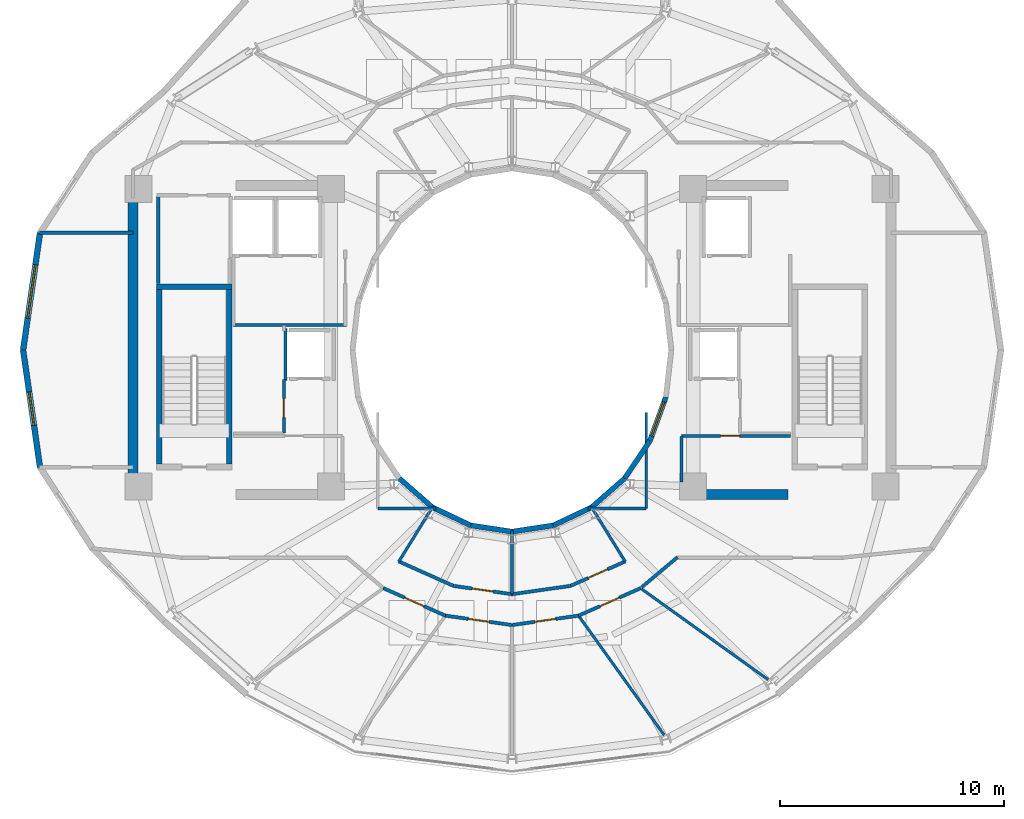
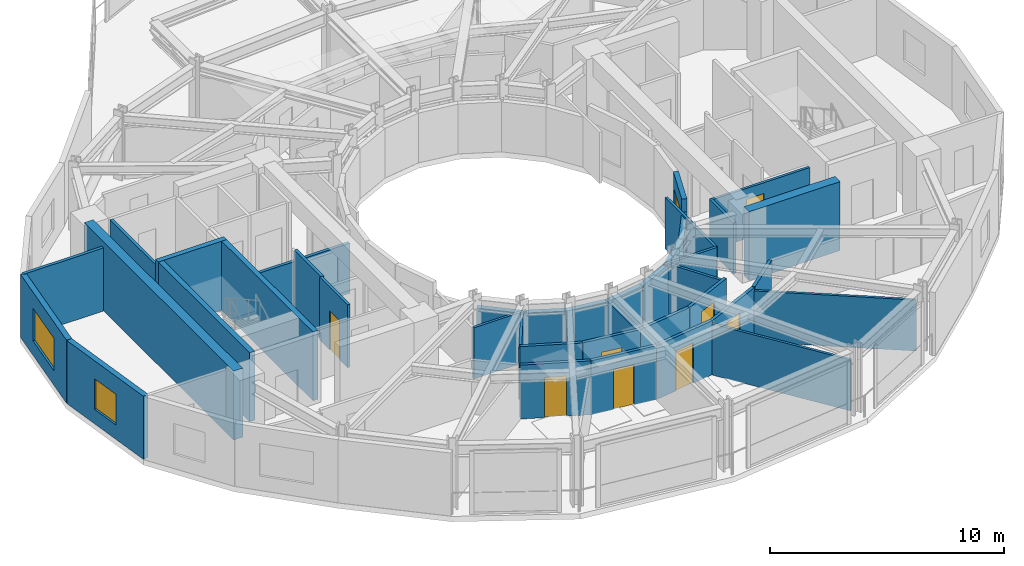
# One storey, part 13 of 19: 39 walls, 8 doors, 3 windows, 11 openings.
"""IFC4 building model written with IfcOpenShell, lengths in metres."""

from ifc_helpers import new_model, si_unit, direction, frame, frame_2d, origin, place, context, subcontext, project, spatial, rectangle, extrude, material, layer, layer_set, type_object, element, fill, save


model = new_model("IFC4")

# Units and contexts
model_context = context("Model", 3, precision=1e-05, world=origin(), true_north=direction((0.0, 1.0)))
body_context = subcontext(model_context, "Body", "Model", "MODEL_VIEW")
ifc_project = project(units=[si_unit("LENGTHUNIT", "METRE"), si_unit("AREAUNIT", "SQUARE_METRE"), si_unit("VOLUMEUNIT", "CUBIC_METRE"), si_unit("PLANEANGLEUNIT", "RADIAN"), si_unit("MASSUNIT", "GRAM", prefix="KILO")], contexts=[model_context])

# Site, building, storey
site_placement = place(None, origin())
site = spatial("IfcSite", under=ifc_project, at=site_placement, CompositionType="ELEMENT")
building_placement = place(site_placement, origin())
building = spatial("IfcBuilding", under=site, at=building_placement, Name="Solvane Sanctuary Tower", CompositionType="ELEMENT")
storey_placement = place(building_placement, frame((0.0, 0.0, 249.60009765625)))
storey = spatial("IfcBuildingStorey", under=building, at=storey_placement, Name="L76", CompositionType="ELEMENT", Elevation=249.60009765625)

# Walls
ifc_material_1 = material(Name="Concrete C50/60", Category="concrete")
ifc_layer_1 = layer(ifc_material_1, 0.449951171875, Name="Concrete C50/60")
ifc_layer_set_1 = layer_set([ifc_layer_1], Name="Concrete C50/60")
wall_type_1 = type_object("IfcWallType", Name="Wall W-CORE-450", PredefinedType="SHEAR", material=ifc_layer_set_1)
wall_1_placement = place(storey_placement, frame((15.050048828125, 17.050048828125, 0.0), z_axis=(0.0, 0.0, 1.0), x_axis=(0.0, 1.0, 0.0)))
element("IfcWall", 1, at=wall_1_placement, inside=storey, type_object=wall_type_1, Name="L76 Core Shear Wall WC-W", PredefinedType="SHEAR", context=body_context, shape_type="SweptSolid", body=[
    extrude(rectangle(XDim=12.800048828125, YDim=0.449951171875, at=frame_2d((6.39990234375, 0.0))), origin(), (0.0, 0.0, 1.0), 3.599853515625),
])
wall_2_placement = place(storey_placement, frame((39.85009765625, 16.550048828125, 0.0), z_axis=(0.0, 0.0, 1.0), x_axis=(1.0, 0.0, 0.0)))
element("IfcWall", 2, at=wall_2_placement, inside=storey, type_object=wall_type_1, Name="L76 Core Shear Wall EC-S", PredefinedType="SHEAR", context=body_context, shape_type="SweptSolid", body=[
    extrude(rectangle(XDim=4.5, YDim=0.449951171875, at=frame_2d((2.25, 0.0))), origin(), (0.0, 0.0, 1.0), 3.599853515625),
])
ifc_material_2 = material(Name="Acoustic Gypsum Partition Board")
ifc_layer_2 = layer(ifc_material_2, 0.14990234375, Name="Acoustic Gypsum Partition Board")
ifc_layer_set_2 = layer_set([ifc_layer_2], Name="Acoustic Gypsum Partition Board")
wall_type_2 = type_object("IfcWallType", Name="Wall W-CORR-150", PredefinedType="PARTITIONING", material=ifc_layer_set_2)
wall_3_placement = place(storey_placement, frame((19.52001953125, 24.1201171875, 0.0), z_axis=(0.0, 0.0, 1.0), x_axis=(1.0, 0.0, 0.0)))
element("IfcWall", 3, at=wall_3_placement, inside=storey, type_object=wall_type_2, Name="L76 West Firefighting Lobby South Wall", PredefinedType="PARTITIONING", context=body_context, shape_type="SweptSolid", body=[
    extrude(rectangle(XDim=5.080078125, YDim=0.14990234375, at=frame_2d((2.5400390625, 0.0))), origin(), (0.0, 0.0, 1.0), 2.619873046875),
])
wall_4_placement = place(storey_placement, frame((26.934814453125, 13.548583984375, 0.0), z_axis=(0.0, 0.0, 1.0), x_axis=(0.912859324183, -0.408274239027, 0.0)))
element("IfcWall", 4, at=wall_4_placement, inside=storey, type_object=wall_type_2, Name="L76 South Light-Well Corridor Wall 1", PredefinedType="PARTITIONING", context=body_context, shape_type="SweptSolid", body=[
    extrude(rectangle(XDim=2.681884765625, YDim=0.14990234375, at=frame_2d((1.3408203125, 0.0))), origin(), (0.0, 0.0, 1.0), 2.81591796875),
])

# Wall, opening, door
wall_5_placement = place(storey_placement, frame((29.379638671875, 12.45458984375, 0.0), z_axis=(0.0, 0.0, 1.0), x_axis=(0.990096156252, -0.140390887794, 0.0)))
wall_5 = element("IfcWall", 5, at=wall_5_placement, inside=storey, type_object=wall_type_2, Name="L76 South Light-Well Corridor Wall 1", PredefinedType="PARTITIONING", context=body_context, shape_type="SweptSolid", body=[
    extrude(rectangle(XDim=2.65380859375, YDim=0.14990234375, at=frame_2d((1.326904296875, 0.0))), origin(), (0.0, 0.0, 1.0), 2.81591796875),
])
opening_1_placement = place(wall_5_placement, frame((0.851806640625, 0.0, 0.0)))
opening_1 = element("IfcOpeningElement", 6, at=opening_1_placement, cuts=wall_5, Name="Opening D-L76-12", PredefinedType="OPENING", context=body_context, shape_type="SweptSolid", body=[
    extrude(rectangle(XDim=0.949951171875, YDim=2.10009765625, at=frame_2d((0.47509765625, 1.050048828125))), frame((0.0, 0.0849609375, 0.0), z_axis=(0.0, -1.0, 0.0), x_axis=(1.0, 0.0, 0.0)), (0.0, 0.0, 1.0), 0.169921875),
])
ifc_material_3 = material(Name="Engineered Tropical Hardwood", Category="wood")
door_type_1 = type_object("IfcDoorType", Name="Door D-ROOM-950", OperationType="NOTDEFINED", PredefinedType="DOOR", material=ifc_material_3)
door_1_placement = place(opening_1_placement, origin())
door_1 = element("IfcDoor", 7, at=door_1_placement, inside=storey, type_object=door_type_1, Name="L76 South Light-Well Alcove Door 1", OperationType="SINGLE_SWING_LEFT", OverallHeight=2.10009765625, OverallWidth=0.949951171875, PredefinedType="DOOR", context=body_context, shape_type="SweptSolid", body=[
    extrude(rectangle(XDim=0.949951171875, YDim=2.10009765625, at=frame_2d((0.47509765625, 1.050048828125))), frame((0.0, 0.02490234375, 0.0), z_axis=(0.0, -1.0, 0.0), x_axis=(1.0, 0.0, 0.0)), (0.0, 0.0, 1.0), 0.050048828125),
])
fill(opening_1, door_1)

# Wall
wall_6_placement = place(storey_placement, frame((31.992919921875, 12.08203125, 0.0), z_axis=(0.0, 0.0, 1.0), x_axis=(0.990096156252, 0.140390887794, 0.0)))
element("IfcWall", 8, at=wall_6_placement, inside=storey, type_object=wall_type_2, Name="L76 South Light-Well Corridor Wall 2", PredefinedType="PARTITIONING", context=body_context, shape_type="SweptSolid", body=[
    extrude(rectangle(XDim=2.65380859375, YDim=0.14990234375, at=frame_2d((1.326904296875, 0.0))), origin(), (0.0, 0.0, 1.0), 2.81591796875),
])

# Wall, opening, door
wall_7_placement = place(storey_placement, frame((34.616943359375, 12.45361328125, 0.0), z_axis=(0.0, 0.0, 1.0), x_axis=(0.912859324183, 0.408274239027, 0.0)))
wall_7 = element("IfcWall", 9, at=wall_7_placement, inside=storey, type_object=wall_type_2, Name="L76 South Light-Well Corridor Wall 2", PredefinedType="PARTITIONING", context=body_context, shape_type="SweptSolid", body=[
    extrude(rectangle(XDim=2.681884765625, YDim=0.14990234375, at=frame_2d((1.3408203125, 0.0))), origin(), (0.0, 0.0, 1.0), 2.81591796875),
])
opening_2_placement = place(wall_7_placement, frame((0.865966796875, 0.0, 0.0)))
opening_2 = element("IfcOpeningElement", 10, at=opening_2_placement, cuts=wall_7, Name="Opening D-L76-13", PredefinedType="OPENING", context=body_context, shape_type="SweptSolid", body=[
    extrude(rectangle(XDim=0.949951171875, YDim=2.10009765625, at=frame_2d((0.47509765625, 1.050048828125))), frame((0.0, 0.0849609375, 0.0), z_axis=(0.0, -1.0, 0.0), x_axis=(1.0, 0.0, 0.0)), (0.0, 0.0, 1.0), 0.169921875),
])
door_2_placement = place(opening_2_placement, origin())
door_2 = element("IfcDoor", 11, at=door_2_placement, inside=storey, type_object=door_type_1, Name="L76 South Light-Well Alcove Door 2", OperationType="SINGLE_SWING_RIGHT", OverallHeight=2.10009765625, OverallWidth=0.949951171875, PredefinedType="DOOR", context=body_context, shape_type="SweptSolid", body=[
    extrude(rectangle(XDim=0.949951171875, YDim=2.10009765625, at=frame_2d((0.47509765625, 1.050048828125))), frame((0.0, 0.02490234375, 0.0), z_axis=(0.0, -1.0, 0.0), x_axis=(1.0, 0.0, 0.0)), (0.0, 0.0, 1.0), 0.050048828125),
])
fill(opening_2, door_2)

# Walls
wall_8_placement = place(storey_placement, frame((10.87548828125, 28.245361328125, 0.0), z_axis=(0.0, 0.0, 1.0), x_axis=(1.0, 0.0, 0.0)))
element("IfcWall", 12, at=wall_8_placement, inside=storey, type_object=wall_type_2, Name="L76 West Shoulder North Wall", PredefinedType="PARTITIONING", context=body_context, shape_type="SweptSolid", body=[
    extrude(rectangle(XDim=4.174560546875, YDim=0.14990234375, at=frame_2d((2.08740234375, 0.0))), origin(), (0.0, 0.0, 1.0), 3.294921875),
])
wall_9_placement = place(storey_placement, frame((37.791015625, 12.385009765625, 0.0), z_axis=(0.0, 0.0, 1.0), x_axis=(0.765677451641, 0.643224719711, 0.0)))
element("IfcWall", 13, at=wall_9_placement, inside=storey, type_object=wall_type_2, Name="L76 SE Corner Throat Wall", PredefinedType="PARTITIONING", context=body_context, shape_type="SweptSolid", body=[
    extrude(rectangle(XDim=2.10546875, YDim=0.14990234375, at=frame_2d((1.052734375, 0.0))), origin(), (0.0, 0.0, 1.0), 2.81591796875),
])

# Wall, opening, door
wall_10_placement = place(storey_placement, frame((26.243896484375, 12.35400390625, 0.0), z_axis=(0.0, 0.0, 1.0), x_axis=(0.914302802833, -0.405031337963, 0.0)))
wall_10 = element("IfcWall", 14, at=wall_10_placement, inside=storey, type_object=wall_type_2, Name="L76 Sky Promenade Corridor Wall S1", PredefinedType="PARTITIONING", context=body_context, shape_type="SweptSolid", body=[
    extrude(rectangle(XDim=3.04931640625, YDim=0.14990234375, at=frame_2d((1.524658203125, 0.0))), origin(), (0.0, 0.0, 1.0), 2.81591796875),
])
opening_3_placement = place(wall_10_placement, frame((1.049560546875, 0.0, 0.0)))
opening_3 = element("IfcOpeningElement", 15, at=opening_3_placement, cuts=wall_10, Name="Opening D-L76-24", PredefinedType="OPENING", context=body_context, shape_type="SweptSolid", body=[
    extrude(rectangle(XDim=0.949951171875, YDim=2.10009765625, at=frame_2d((0.47509765625, 1.050048828125))), frame((0.0, 0.0849609375, 0.0), z_axis=(0.0, -1.0, 0.0), x_axis=(1.0, 0.0, 0.0)), (0.0, 0.0, 1.0), 0.169921875),
])
door_3_placement = place(opening_3_placement, origin())
door_3 = element("IfcDoor", 16, at=door_3_placement, inside=storey, type_object=door_type_1, Name="L76 Sky Hall Entrance Door S1", OperationType="SINGLE_SWING_LEFT", OverallHeight=2.10009765625, OverallWidth=0.949951171875, PredefinedType="DOOR", context=body_context, shape_type="SweptSolid", body=[
    extrude(rectangle(XDim=0.949951171875, YDim=2.10009765625, at=frame_2d((0.47509765625, 1.050048828125))), frame((0.0, 0.02490234375, 0.0), z_axis=(0.0, -1.0, 0.0), x_axis=(1.0, 0.0, 0.0)), (0.0, 0.0, 1.0), 0.050048828125),
])
fill(opening_3, door_3)

wall_11_placement = place(storey_placement, frame((29.016357421875, 11.123291015625, 0.0), z_axis=(0.0, 0.0, 1.0), x_axis=(0.990225561979, -0.139475217886, 0.0)))
wall_11 = element("IfcWall", 17, at=wall_11_placement, inside=storey, type_object=wall_type_2, Name="L76 Sky Promenade Corridor Wall S2", PredefinedType="PARTITIONING", context=body_context, shape_type="SweptSolid", body=[
    extrude(rectangle(XDim=3.021240234375, YDim=0.14990234375, at=frame_2d((1.5107421875, 0.0))), origin(), (0.0, 0.0, 1.0), 2.81591796875),
])
opening_4_placement = place(wall_11_placement, frame((1.03564453125, 0.0, 0.0)))
opening_4 = element("IfcOpeningElement", 18, at=opening_4_placement, cuts=wall_11, Name="Opening D-L76-25", PredefinedType="OPENING", context=body_context, shape_type="SweptSolid", body=[
    extrude(rectangle(XDim=0.949951171875, YDim=2.10009765625, at=frame_2d((0.47509765625, 1.050048828125))), frame((0.0, 0.0849609375, 0.0), z_axis=(0.0, -1.0, 0.0), x_axis=(1.0, 0.0, 0.0)), (0.0, 0.0, 1.0), 0.169921875),
])
door_4_placement = place(opening_4_placement, origin())
door_4 = element("IfcDoor", 19, at=door_4_placement, inside=storey, type_object=door_type_1, Name="L76 Sky Hall Entrance Door S2", OperationType="SINGLE_SWING_RIGHT", OverallHeight=2.10009765625, OverallWidth=0.949951171875, PredefinedType="DOOR", context=body_context, shape_type="SweptSolid", body=[
    extrude(rectangle(XDim=0.949951171875, YDim=2.10009765625, at=frame_2d((0.47509765625, 1.050048828125))), frame((0.0, 0.02490234375, 0.0), z_axis=(0.0, -1.0, 0.0), x_axis=(1.0, 0.0, 0.0)), (0.0, 0.0, 1.0), 0.050048828125),
])
fill(opening_4, door_4)

wall_12_placement = place(storey_placement, frame((31.991943359375, 10.701904296875, 0.0), z_axis=(0.0, 0.0, 1.0), x_axis=(0.990225561979, 0.139475217886, 0.0)))
wall_12 = element("IfcWall", 20, at=wall_12_placement, inside=storey, type_object=wall_type_2, Name="L76 Sky Promenade Corridor Wall S3", PredefinedType="PARTITIONING", context=body_context, shape_type="SweptSolid", body=[
    extrude(rectangle(XDim=3.021240234375, YDim=0.14990234375, at=frame_2d((1.5107421875, 0.0))), origin(), (0.0, 0.0, 1.0), 2.81591796875),
])
opening_5_placement = place(wall_12_placement, frame((1.03564453125, 0.0, 0.0)))
opening_5 = element("IfcOpeningElement", 21, at=opening_5_placement, cuts=wall_12, Name="Opening D-L76-26", PredefinedType="OPENING", context=body_context, shape_type="SweptSolid", body=[
    extrude(rectangle(XDim=0.949951171875, YDim=2.10009765625, at=frame_2d((0.47509765625, 1.050048828125))), frame((0.0, 0.0849609375, 0.0), z_axis=(0.0, -1.0, 0.0), x_axis=(1.0, 0.0, 0.0)), (0.0, 0.0, 1.0), 0.169921875),
])
door_5_placement = place(opening_5_placement, origin())
door_5 = element("IfcDoor", 22, at=door_5_placement, inside=storey, type_object=door_type_1, Name="L76 Sky Hall Entrance Door S3", OperationType="SINGLE_SWING_LEFT", OverallHeight=2.10009765625, OverallWidth=0.949951171875, PredefinedType="DOOR", context=body_context, shape_type="SweptSolid", body=[
    extrude(rectangle(XDim=0.949951171875, YDim=2.10009765625, at=frame_2d((0.47509765625, 1.050048828125))), frame((0.0, 0.02490234375, 0.0), z_axis=(0.0, -1.0, 0.0), x_axis=(1.0, 0.0, 0.0)), (0.0, 0.0, 1.0), 0.050048828125),
])
fill(opening_5, door_5)

wall_13_placement = place(storey_placement, frame((34.968017578125, 11.118896484375, 0.0), z_axis=(0.0, 0.0, 1.0), x_axis=(0.914302802833, 0.405031337963, 0.0)))
wall_13 = element("IfcWall", 23, at=wall_13_placement, inside=storey, type_object=wall_type_2, Name="L76 Sky Promenade Corridor Wall S4", PredefinedType="PARTITIONING", context=body_context, shape_type="SweptSolid", body=[
    extrude(rectangle(XDim=3.04931640625, YDim=0.14990234375, at=frame_2d((1.524658203125, 0.0))), origin(), (0.0, 0.0, 1.0), 2.81591796875),
])
opening_6_placement = place(wall_13_placement, frame((1.049560546875, 0.0, 0.0)))
opening_6 = element("IfcOpeningElement", 24, at=opening_6_placement, cuts=wall_13, Name="Opening D-L76-27", PredefinedType="OPENING", context=body_context, shape_type="SweptSolid", body=[
    extrude(rectangle(XDim=0.949951171875, YDim=2.10009765625, at=frame_2d((0.47509765625, 1.050048828125))), frame((0.0, 0.0849609375, 0.0), z_axis=(0.0, -1.0, 0.0), x_axis=(1.0, 0.0, 0.0)), (0.0, 0.0, 1.0), 0.169921875),
])
door_6_placement = place(opening_6_placement, origin())
door_6 = element("IfcDoor", 25, at=door_6_placement, inside=storey, type_object=door_type_1, Name="L76 Sky Hall Entrance Door S4", OperationType="SINGLE_SWING_RIGHT", OverallHeight=2.10009765625, OverallWidth=0.949951171875, PredefinedType="DOOR", context=body_context, shape_type="SweptSolid", body=[
    extrude(rectangle(XDim=0.949951171875, YDim=2.10009765625, at=frame_2d((0.47509765625, 1.050048828125))), frame((0.0, 0.02490234375, 0.0), z_axis=(0.0, -1.0, 0.0), x_axis=(1.0, 0.0, 0.0)), (0.0, 0.0, 1.0), 0.050048828125),
])
fill(opening_6, door_6)

# Wall, opening, window
ifc_material_4 = material(Name="Precast concrete C40/50", Category="concrete")
ifc_layer_3 = layer(ifc_material_4, 0.260009765625, Name="Precast concrete C40/50")
ifc_layer_set_3 = layer_set([ifc_layer_3], Name="Precast concrete C40/50")
wall_type_3 = type_object("IfcWallType", Name="Wall W-EXT-250", PredefinedType="STANDARD", material=ifc_layer_set_3)
wall_14_placement = place(storey_placement, frame((10.895263671875, 28.23876953125, 0.0), z_axis=(0.0, 0.0, 1.0), x_axis=(-0.142712754019, -0.989764148593, 0.0)))
wall_14 = element("IfcWall", 26, at=wall_14_placement, inside=storey, type_object=wall_type_3, Name="L76 Ceramic-Printed Facade Wall 11", PredefinedType="STANDARD", context=body_context, shape_type="SweptSolid", body=[
    extrude(rectangle(XDim=5.29296875, YDim=0.260009765625, at=frame_2d((2.646484375, 0.0))), origin(), (0.0, 0.0, 1.0), 3.289794921875),
])
opening_7_placement = place(wall_14_placement, frame((1.446533203125, 0.0, 0.75)))
opening_7 = element("IfcOpeningElement", 27, at=opening_7_placement, cuts=wall_14, Name="Opening WN-RIB-2400", PredefinedType="OPENING", context=body_context, shape_type="SweptSolid", body=[
    extrude(rectangle(XDim=2.39990234375, YDim=1.699951171875, at=frame_2d((1.199951171875, 0.85009765625))), frame((0.0, 0.139892578125, 0.0), z_axis=(0.0, -1.0, 0.0), x_axis=(1.0, 0.0, 0.0)), (0.0, 0.0, 1.0), 0.280029296875),
])
ifc_material_5 = material(Name="Dark Ceramic-Fritted Low-E Glass", Category="glass")
window_type_1 = type_object("IfcWindowType", Name="Window WN-RIB-2400", PartitioningType="SINGLE_PANEL", PredefinedType="WINDOW", material=ifc_material_5)
window_1_placement = place(opening_7_placement, origin())
window_1 = element("IfcWindow", 28, at=window_1_placement, inside=storey, type_object=window_type_1, Name="L76 Operable Facade Window 11", OverallHeight=1.699951171875, OverallWidth=2.39990234375, PartitioningType="SINGLE_PANEL", PredefinedType="WINDOW", context=body_context, shape_type="SweptSolid", body=[
    extrude(rectangle(XDim=2.39990234375, YDim=1.699951171875, at=frame_2d((1.199951171875, 0.85009765625))), frame((0.0, 0.030029296875, 0.0), z_axis=(0.0, -1.0, 0.0), x_axis=(1.0, 0.0, 0.0)), (0.0, 0.0, 1.0), 0.06005859375),
])
fill(opening_7, window_1)

wall_15_placement = place(storey_placement, frame((10.139892578125, 23.0, 0.0), z_axis=(0.0, 0.0, 1.0), x_axis=(0.142712754019, -0.989764148593, 0.0)))
wall_15 = element("IfcWall", 29, at=wall_15_placement, inside=storey, type_object=wall_type_3, Name="L76 Ceramic-Printed Facade Wall 12", PredefinedType="STANDARD", context=body_context, shape_type="SweptSolid", body=[
    extrude(rectangle(XDim=5.29296875, YDim=0.260009765625, at=frame_2d((2.646484375, 0.0))), origin(), (0.0, 0.0, 1.0), 3.289794921875),
])
opening_8_placement = place(wall_15_placement, frame((1.896484375, 0.0, 0.75)))
opening_8 = element("IfcOpeningElement", 30, at=opening_8_placement, cuts=wall_15, Name="Opening WN-OPER-1500", PredefinedType="OPENING", context=body_context, shape_type="SweptSolid", body=[
    extrude(rectangle(XDim=1.5, YDim=1.60009765625, at=frame_2d((0.75, 0.800048828125))), frame((0.0, 0.139892578125, 0.0), z_axis=(0.0, -1.0, 0.0), x_axis=(1.0, 0.0, 0.0)), (0.0, 0.0, 1.0), 0.280029296875),
])
window_type_2 = type_object("IfcWindowType", Name="Window WN-OPER-1500", PartitioningType="SINGLE_PANEL", PredefinedType="WINDOW", material=ifc_material_5)
window_2_placement = place(opening_8_placement, origin())
window_2 = element("IfcWindow", 31, at=window_2_placement, inside=storey, type_object=window_type_2, Name="L76 Operable Facade Window 12", OverallHeight=1.60009765625, OverallWidth=1.5, PartitioningType="SINGLE_PANEL", PredefinedType="WINDOW", context=body_context, shape_type="SweptSolid", body=[
    extrude(rectangle(XDim=1.5, YDim=1.60009765625, at=frame_2d((0.75, 0.800048828125))), frame((0.0, 0.030029296875, 0.0), z_axis=(0.0, -1.0, 0.0), x_axis=(1.0, 0.0, 0.0)), (0.0, 0.0, 1.0), 0.06005859375),
])
fill(opening_8, window_2)

# Walls
ifc_layer_4 = layer(ifc_material_4, 0.22998046875, Name="Precast concrete C40/50")
ifc_layer_set_4 = layer_set([ifc_layer_4], Name="Precast concrete C40/50")
wall_type_4 = type_object("IfcWallType", Name="Wall W-EXT-SP220", PredefinedType="STANDARD", material=ifc_layer_set_4)
wall_16_placement = place(storey_placement, frame((26.96533203125, 17.25830078125, 0.0), z_axis=(0.0, 0.0, 1.0), x_axis=(0.752576694707, -0.658504607869, 0.0)))
element("IfcWall", 32, at=wall_16_placement, inside=storey, type_object=wall_type_4, Name="L76 Central Light-Well Wall 15", PredefinedType="STANDARD", context=body_context, shape_type="SweptSolid", body=[
    extrude(rectangle(XDim=1.95947265625, YDim=0.22998046875, at=frame_2d((0.979736328125, 0.0))), origin(), (0.0, 0.0, 1.0), 2.599853515625),
])
wall_17_placement = place(storey_placement, frame((28.43994140625, 15.968017578125, 0.0), z_axis=(0.0, 0.0, 1.0), x_axis=(0.904179699603, -0.427152280606, 0.0)))
element("IfcWall", 33, at=wall_17_placement, inside=storey, type_object=wall_type_4, Name="L76 Central Light-Well Wall 16", PredefinedType="STANDARD", context=body_context, shape_type="SweptSolid", body=[
    extrude(rectangle(XDim=1.899169921875, YDim=0.22998046875, at=frame_2d((0.94970703125, 0.0))), origin(), (0.0, 0.0, 1.0), 2.599853515625),
])
for number, where, z_axis, x_axis, name in (
    (34, (30.1572265625, 15.15673828125, 0.0), (0.0, 0.0, 1.0), (0.988901730308, -0.148571086668, 0.0), "L76 Central Light-Well Wall 17"),
    (35, (32.0, 14.8798828125, 0.0), (0.0, 0.0, 1.0), (0.988901730308, 0.148571086668, 0.0), "L76 Central Light-Well Wall 18"),
):
    element("IfcWall", number, at=place(storey_placement, frame(where, z_axis=z_axis, x_axis=x_axis)), inside=storey, type_object=wall_type_4, Name=name, PredefinedType="STANDARD", context=body_context, shape_type="SweptSolid", body=[
        extrude(rectangle(XDim=1.863525390625, YDim=0.22998046875, at=frame_2d((0.931640625, 0.0))), origin(), (0.0, 0.0, 1.0), 2.599853515625),
    ])
wall_18_placement = place(storey_placement, frame((33.8427734375, 15.15673828125, 0.0), z_axis=(0.0, 0.0, 1.0), x_axis=(0.904179699603, 0.427152280606, 0.0)))
element("IfcWall", 36, at=wall_18_placement, inside=storey, type_object=wall_type_4, Name="L76 Central Light-Well Wall 19", PredefinedType="STANDARD", context=body_context, shape_type="SweptSolid", body=[
    extrude(rectangle(XDim=1.899169921875, YDim=0.22998046875, at=frame_2d((0.94970703125, 0.0))), origin(), (0.0, 0.0, 1.0), 2.599853515625),
])
wall_19_placement = place(storey_placement, frame((35.56005859375, 15.968017578125, 0.0), z_axis=(0.0, 0.0, 1.0), x_axis=(0.752576694707, 0.658504607869, 0.0)))
element("IfcWall", 37, at=wall_19_placement, inside=storey, type_object=wall_type_4, Name="L76 Central Light-Well Wall 20", PredefinedType="STANDARD", context=body_context, shape_type="SweptSolid", body=[
    extrude(rectangle(XDim=1.95947265625, YDim=0.22998046875, at=frame_2d((0.979736328125, 0.0))), origin(), (0.0, 0.0, 1.0), 2.599853515625),
])
wall_20_placement = place(storey_placement, frame((37.03466796875, 17.25830078125, 0.0), z_axis=(0.0, 0.0, 1.0), x_axis=(0.558197800898, 0.829707909492, 0.0)))
element("IfcWall", 38, at=wall_20_placement, inside=storey, type_object=wall_type_4, Name="L76 Central Light-Well Wall 21", PredefinedType="STANDARD", context=body_context, shape_type="SweptSolid", body=[
    extrude(rectangle(XDim=2.02685546875, YDim=0.22998046875, at=frame_2d((1.013427734375, 0.0))), origin(), (0.0, 0.0, 1.0), 2.599853515625),
])

# Wall, opening, window
wall_21_placement = place(storey_placement, frame((38.166015625, 18.93994140625, 0.0), z_axis=(0.0, 0.0, 1.0), x_axis=(0.341423187295, 0.93990968033, 0.0)))
wall_21 = element("IfcWall", 39, at=wall_21_placement, inside=storey, type_object=wall_type_4, Name="L76 Central Light-Well Wall 22", PredefinedType="STANDARD", context=body_context, shape_type="SweptSolid", body=[
    extrude(rectangle(XDim=2.083740234375, YDim=0.22998046875, at=frame_2d((1.0419921875, 0.0))), origin(), (0.0, 0.0, 1.0), 3.27978515625),
])
opening_9_placement = place(wall_21_placement, frame((0.24169921875, 0.0, 0.85009765625)))
opening_9 = element("IfcOpeningElement", 40, at=opening_9_placement, cuts=wall_21, Name="Opening WN-WELL-1600", PredefinedType="OPENING", context=body_context, shape_type="SweptSolid", body=[
    extrude(rectangle(XDim=1.60009765625, YDim=1.64990234375, at=frame_2d((0.800048828125, 0.824951171875))), frame((0.0, 0.125, 0.0), z_axis=(0.0, -1.0, 0.0), x_axis=(1.0, 0.0, 0.0)), (0.0, 0.0, 1.0), 0.25),
])
ifc_material_6 = material(Name="Clear Laminated Light-Well Glass", Category="glass")
window_type_3 = type_object("IfcWindowType", Name="Window WN-WELL-1600", PartitioningType="SINGLE_PANEL", PredefinedType="WINDOW", material=ifc_material_6)
window_3_placement = place(opening_9_placement, origin())
window_3 = element("IfcWindow", 41, at=window_3_placement, inside=storey, type_object=window_type_3, Name="L76 Light-Well Daylight Window 22", OverallHeight=1.64990234375, OverallWidth=1.60009765625, PartitioningType="SINGLE_PANEL", PredefinedType="WINDOW", context=body_context, shape_type="SweptSolid", body=[
    extrude(rectangle(XDim=1.60009765625, YDim=1.64990234375, at=frame_2d((0.800048828125, 0.824951171875))), frame((0.0, 0.030029296875, 0.0), z_axis=(0.0, -1.0, 0.0), x_axis=(1.0, 0.0, 0.0)), (0.0, 0.0, 1.0), 0.06005859375),
])
fill(opening_9, window_3)

# Walls
ifc_layer_5 = layer(ifc_material_2, 0.1201171875, Name="Acoustic Gypsum Partition Board")
ifc_layer_set_5 = layer_set([ifc_layer_5], Name="Acoustic Gypsum Partition Board")
wall_type_5 = type_object("IfcWallType", Name="Wall W-MOV-100", PredefinedType="MOVABLE", material=ifc_layer_set_5)
wall_22_placement = place(storey_placement, frame((35.0078125, 11.076416015625, 0.0), z_axis=(0.0, 0.0, 1.0), x_axis=(0.582726066442, -0.812668648029, 0.0)))
element("IfcWall", 42, at=wall_22_placement, inside=storey, type_object=wall_type_5, Name="L76 Sky Hall Radial Partition 285", PredefinedType="MOVABLE", context=body_context, shape_type="SweptSolid", body=[
    extrude(rectangle(XDim=6.514892578125, YDim=0.1201171875, at=frame_2d((3.25732421875, 0.0))), origin(), (0.0, 0.0, 1.0), 2.659912109375),
])
wall_23_placement = place(storey_placement, frame((37.793701171875, 12.317626953125, 0.0), z_axis=(0.0, 0.0, 1.0), x_axis=(0.812763742602, -0.582593424879, 0.0)))
element("IfcWall", 43, at=wall_23_placement, inside=storey, type_object=wall_type_5, Name="L76 Sky Hall Radial Partition 300", PredefinedType="MOVABLE", context=body_context, shape_type="SweptSolid", body=[
    extrude(rectangle(XDim=6.965576171875, YDim=0.1201171875, at=frame_2d((3.48291015625, 0.0))), origin(), (0.0, 0.0, 1.0), 2.659912109375),
])

# Wall, opening, door
ifc_layer_6 = layer(ifc_material_2, 0.125, Name="Acoustic Gypsum Partition Board")
ifc_layer_set_6 = layer_set([ifc_layer_6], Name="Acoustic Gypsum Partition Board")
wall_type_6 = type_object("IfcWallType", Name="Wall W-PART-125", PredefinedType="PARTITIONING", material=ifc_layer_set_6)
wall_24_placement = place(storey_placement, frame((39.580078125, 19.159912109375, 0.0), z_axis=(0.0, 0.0, 1.0), x_axis=(1.0, 0.0, 0.0)))
wall_24 = element("IfcWall", 44, at=wall_24_placement, inside=storey, type_object=wall_type_6, Name="L76 Reclaimed Room Partition PLE", PredefinedType="PARTITIONING", context=body_context, shape_type="SweptSolid", body=[
    extrude(rectangle(XDim=4.869873046875, YDim=0.125, at=frame_2d((2.43505859375, 0.0))), origin(), (0.0, 0.0, 1.0), 2.619873046875),
])
opening_10_placement = place(wall_24_placement, frame((1.748291015625, 0.0, 0.0)))
opening_10 = element("IfcOpeningElement", 45, at=opening_10_placement, cuts=wall_24, Name="Opening D-L76-06", PredefinedType="OPENING", context=body_context, shape_type="SweptSolid", body=[
    extrude(rectangle(XDim=0.85009765625, YDim=2.050048828125, at=frame_2d((0.425048828125, 1.02490234375))), frame((0.0, 0.072509765625, 0.0), z_axis=(0.0, -1.0, 0.0), x_axis=(1.0, 0.0, 0.0)), (0.0, 0.0, 1.0), 0.14501953125),
])
ifc_material_7 = material(Name="Architectural Stainless Steel 316", Category="steel")
door_type_2 = type_object("IfcDoorType", Name="Door D-RISER", OperationType="NOTDEFINED", PredefinedType="DOOR", material=ifc_material_7)
door_7_placement = place(opening_10_placement, origin())
door_7 = element("IfcDoor", 46, at=door_7_placement, inside=storey, type_object=door_type_2, Name="L76 Reclaimed Room Door PLE-1", OperationType="SINGLE_SWING_LEFT", OverallHeight=2.050048828125, OverallWidth=0.85009765625, PredefinedType="DOOR", context=body_context, shape_type="SweptSolid", body=[
    extrude(rectangle(XDim=0.85009765625, YDim=2.050048828125, at=frame_2d((0.425048828125, 1.02490234375))), frame((0.0, 0.02490234375, 0.0), z_axis=(0.0, -1.0, 0.0), x_axis=(1.0, 0.0, 0.0)), (0.0, 0.0, 1.0), 0.050048828125),
])
fill(opening_10, door_7)

# Wall
wall_25_placement = place(storey_placement, frame((39.580078125, 17.10009765625, 0.0), z_axis=(0.0, 0.0, 1.0), x_axis=(0.0, 1.0, 0.0)))
element("IfcWall", 47, at=wall_25_placement, inside=storey, type_object=wall_type_6, Name="L76 Reclaimed Room Closer Wall PLE-1", PredefinedType="PARTITIONING", context=body_context, shape_type="SweptSolid", body=[
    extrude(rectangle(XDim=2.039794921875, YDim=0.125, at=frame_2d((1.02001953125, 0.0))), origin(), (0.0, 0.0, 1.0), 2.671875),
])

# Wall, opening, door
wall_26_placement = place(storey_placement, frame((21.800048828125, 19.280029296875, 0.0), z_axis=(0.0, 0.0, 1.0), x_axis=(0.0, 1.0, 0.0)))
wall_26 = element("IfcWall", 48, at=wall_26_placement, inside=storey, type_object=wall_type_6, Name="L76 Reclaimed Room Partition PMW", PredefinedType="PARTITIONING", context=body_context, shape_type="SweptSolid", body=[
    extrude(rectangle(XDim=2.39990234375, YDim=0.125, at=frame_2d((1.199951171875, 0.0))), origin(), (0.0, 0.0, 1.0), 3.294921875),
])
opening_11_placement = place(wall_26_placement, frame((0.699951171875, 0.0, 0.0)))
opening_11 = element("IfcOpeningElement", 49, at=opening_11_placement, cuts=wall_26, Name="Opening D-L76-07", PredefinedType="OPENING", context=body_context, shape_type="SweptSolid", body=[
    extrude(rectangle(XDim=0.85009765625, YDim=2.050048828125, at=frame_2d((0.425048828125, 1.02490234375))), frame((0.0, 0.072509765625, 0.0), z_axis=(0.0, -1.0, 0.0), x_axis=(1.0, 0.0, 0.0)), (0.0, 0.0, 1.0), 0.14501953125),
])
door_8_placement = place(opening_11_placement, origin())
door_8 = element("IfcDoor", 50, at=door_8_placement, inside=storey, type_object=door_type_2, Name="L76 Reclaimed Room Door PMW-1", OperationType="SINGLE_SWING_RIGHT", OverallHeight=2.050048828125, OverallWidth=0.85009765625, PredefinedType="DOOR", context=body_context, shape_type="SweptSolid", body=[
    extrude(rectangle(XDim=0.85009765625, YDim=2.050048828125, at=frame_2d((0.425048828125, 1.02490234375))), frame((0.0, 0.02490234375, 0.0), z_axis=(0.0, -1.0, 0.0), x_axis=(1.0, 0.0, 0.0)), (0.0, 0.0, 1.0), 0.050048828125),
])
fill(opening_11, door_8)

# Walls
wall_27_placement = place(storey_placement, frame((28.449951171875, 15.985107421875, 0.0), z_axis=(0.0, 0.0, 1.0), x_axis=(-0.52592395012, -0.850531597702, 0.0)))
element("IfcWall", 51, at=wall_27_placement, inside=storey, type_object=wall_type_6, Name="L76 South Light-Well Radial Wall 240", PredefinedType="PARTITIONING", context=body_context, shape_type="SweptSolid", body=[
    extrude(rectangle(XDim=2.869384765625, YDim=0.125, at=frame_2d((1.4345703125, 0.0))), origin(), (0.0, 0.0, 1.0), 2.671875),
])
wall_28_placement = place(storey_placement, frame((32.0, 14.89990234375, 0.0), z_axis=(0.0, 0.0, 1.0), x_axis=(0.0, -1.0, 0.0)))
element("IfcWall", 52, at=wall_28_placement, inside=storey, type_object=wall_type_6, Name="L76 South Light-Well Radial Wall 270", PredefinedType="PARTITIONING", context=body_context, shape_type="SweptSolid", body=[
    extrude(rectangle(XDim=2.81787109375, YDim=0.125, at=frame_2d((1.408935546875, 0.0))), origin(), (0.0, 0.0, 1.0), 2.671875),
])
wall_29_placement = place(storey_placement, frame((35.550048828125, 15.985107421875, 0.0), z_axis=(0.0, 0.0, 1.0), x_axis=(0.52592395012, -0.850531597702, 0.0)))
element("IfcWall", 53, at=wall_29_placement, inside=storey, type_object=wall_type_6, Name="L76 South Light-Well Radial Wall 300", PredefinedType="PARTITIONING", context=body_context, shape_type="SweptSolid", body=[
    extrude(rectangle(XDim=2.869384765625, YDim=0.125, at=frame_2d((1.4345703125, 0.0))), origin(), (0.0, 0.0, 1.0), 2.671875),
])
wall_30_placement = place(storey_placement, frame((26.0, 15.919921875, 0.0), z_axis=(0.0, 0.0, 1.0), x_axis=(1.0, 0.0, 0.0)))
element("IfcWall", 54, at=wall_30_placement, inside=storey, type_object=wall_type_6, Name="L76 Bridge Alcove Wall 6", PredefinedType="PARTITIONING", context=body_context, shape_type="SweptSolid", body=[
    extrude(rectangle(XDim=2.60009765625, YDim=0.125, at=frame_2d((1.300048828125, 0.0))), origin(), (0.0, 0.0, 1.0), 2.671875),
])
wall_31_placement = place(storey_placement, frame((38.0, 15.919921875, 0.0), z_axis=(0.0, 0.0, 1.0), x_axis=(0.0, 1.0, 0.0)))
element("IfcWall", 55, at=wall_31_placement, inside=storey, type_object=wall_type_6, Name="L76 Bridge Alcove Wall 7", PredefinedType="PARTITIONING", context=body_context, shape_type="SweptSolid", body=[
    extrude(rectangle(XDim=4.280029296875, YDim=0.125, at=frame_2d((2.14013671875, 0.0))), origin(), (0.0, 0.0, 1.0), 2.671875),
])
wall_32_placement = place(storey_placement, frame((35.39990234375, 15.919921875, 0.0), z_axis=(0.0, 0.0, 1.0), x_axis=(1.0, 0.0, 0.0)))
element("IfcWall", 56, at=wall_32_placement, inside=storey, type_object=wall_type_6, Name="L76 Bridge Alcove Wall 8", PredefinedType="PARTITIONING", context=body_context, shape_type="SweptSolid", body=[
    extrude(rectangle(XDim=2.60009765625, YDim=0.125, at=frame_2d((1.300048828125, 0.0))), origin(), (0.0, 0.0, 1.0), 2.671875),
])
ifc_layer_7 = layer(ifc_material_1, 0.14990234375, Name="Concrete C50/60")
ifc_layer_set_7 = layer_set([ifc_layer_7], Name="Concrete C50/60")
wall_type_7 = type_object("IfcWallType", Name="Wall W-SHAFT-150", PredefinedType="SOLIDWALL", material=ifc_layer_set_7)
wall_33_placement = place(storey_placement, frame((21.8701171875, 21.639892578125, 0.0), z_axis=(0.0, 0.0, 1.0), x_axis=(0.0, 1.0, 0.0)))
element("IfcWall", 57, at=wall_33_placement, inside=storey, type_object=wall_type_7, Name="L76 PH-1 Lift Shaft Wall S1", PredefinedType="SOLIDWALL", context=body_context, shape_type="SweptSolid", body=[
    extrude(rectangle(XDim=2.320068359375, YDim=0.14990234375, at=frame_2d((1.16015625, 0.0))), origin(), (0.0, 0.0, 1.0), 3.294921875),
])
ifc_layer_8 = layer(ifc_material_1, 0.25, Name="Concrete C50/60")
ifc_layer_set_8 = layer_set([ifc_layer_8], Name="Concrete C50/60")
wall_type_8 = type_object("IfcWallType", Name="Wall W-SHAFT-250", PredefinedType="SOLIDWALL", material=ifc_layer_set_8)
wall_34_placement = place(storey_placement, frame((16.10498046875, 25.830078125, 0.0), z_axis=(0.0, 0.0, 1.0), x_axis=(1.0, 0.0, 0.0)))
element("IfcWall", 58, at=wall_34_placement, inside=storey, type_object=wall_type_8, Name="L76 ST-1 Load-Bearing Shaft Wall N", PredefinedType="SOLIDWALL", context=body_context, shape_type="SweptSolid", body=[
    extrude(rectangle(XDim=3.3701171875, YDim=0.25, at=frame_2d((1.68505859375, 0.0))), origin(), (0.0, 0.0, 1.0), 3.599853515625),
])
for number, where, z_axis, x_axis, name in (
    (59, (16.22998046875, 17.89501953125, 0.0), (0.0, 0.0, 1.0), (0.0, 1.0, 0.0), "L76 ST-1 Load-Bearing Shaft Wall W"),
    (60, (19.35009765625, 17.89501953125, 0.0), (0.0, 0.0, 1.0), (0.0, 1.0, 0.0), "L76 ST-1 Load-Bearing Shaft Wall E"),
):
    element("IfcWall", number, at=place(storey_placement, frame(where, z_axis=z_axis, x_axis=x_axis)), inside=storey, type_object=wall_type_8, Name=name, PredefinedType="SOLIDWALL", context=body_context, shape_type="SweptSolid", body=[
        extrude(rectangle(XDim=7.81005859375, YDim=0.25, at=frame_2d((3.905029296875, 0.0))), origin(), (0.0, 0.0, 1.0), 3.599853515625),
    ])
ifc_layer_9 = layer(ifc_material_2, 0.139892578125, Name="Acoustic Gypsum Partition Board")
ifc_layer_set_9 = layer_set([ifc_layer_9], Name="Acoustic Gypsum Partition Board")
wall_type_9 = type_object("IfcWallType", Name="Wall W-WET-140", PredefinedType="PLUMBINGWALL", material=ifc_layer_set_9)
wall_35_placement = place(storey_placement, frame((16.179931640625, 25.97998046875, 0.0), z_axis=(0.0, 0.0, 1.0), x_axis=(0.0, 1.0, 0.0)))
element("IfcWall", 61, at=wall_35_placement, inside=storey, type_object=wall_type_9, Name="L76 Core Service Side Wall KW0-1", PredefinedType="PLUMBINGWALL", context=body_context, shape_type="SweptSolid", body=[
    extrude(rectangle(XDim=3.880126953125, YDim=0.139892578125, at=frame_2d((1.93994140625, 0.0))), origin(), (0.0, 0.0, 1.0), 3.294921875),
])

save(model, "model.ifc")
